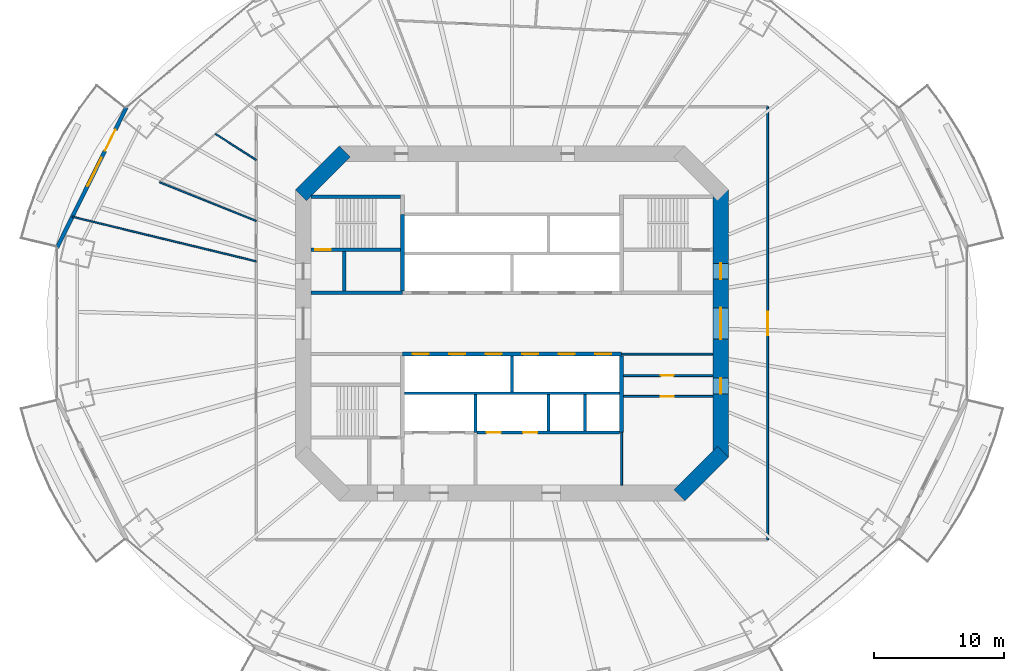
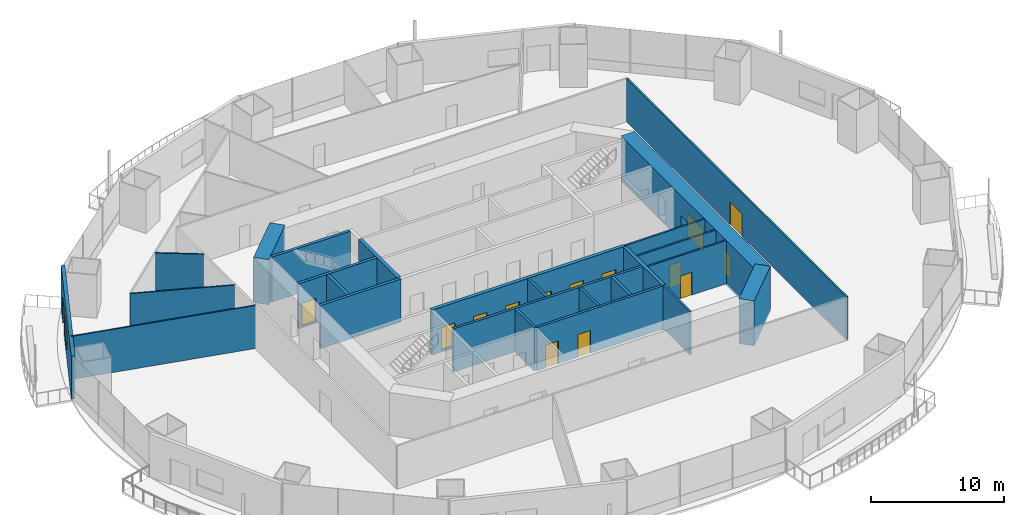
# One storey, part 14 of 22: 25 walls, 16 doors, 1 window, 17 openings.
"""IFC4 building model written with IfcOpenShell, lengths in metres."""

from ifc_helpers import new_model, si_unit, direction, frame, frame_2d, origin, place, context, subcontext, project, spatial, rectangle, extrude, material, layer, layer_set, type_object, element, fill, save


model = new_model("IFC4")

# Units and contexts
model_context = context("Model", 3, precision=1e-05, world=origin(), true_north=direction((0.0, 1.0)))
body_context = subcontext(model_context, "Body", "Model", "MODEL_VIEW")
ifc_project = project(units=[si_unit("LENGTHUNIT", "METRE"), si_unit("AREAUNIT", "SQUARE_METRE"), si_unit("VOLUMEUNIT", "CUBIC_METRE"), si_unit("PLANEANGLEUNIT", "RADIAN"), si_unit("MASSUNIT", "GRAM", prefix="KILO")], contexts=[model_context])

# Site, building, storey
site_placement = place(None, origin())
site = spatial("IfcSite", under=ifc_project, at=site_placement, CompositionType="ELEMENT")
building_placement = place(site_placement, origin())
building = spatial("IfcBuilding", under=site, at=building_placement, Name="Marenthal Gate Tower", CompositionType="ELEMENT")
storey_placement = place(building_placement, frame((0.0, 0.0, 70.35009765625)))
storey = spatial("IfcBuildingStorey", under=building, at=storey_placement, Name="L13", CompositionType="ELEMENT", Elevation=70.35009765625)

# Wall
ifc_material_1 = material(Name="Concrete 60 MPa", Category="concrete")
ifc_layer_1 = layer(ifc_material_1, 1.199951171875)
ifc_layer_set_1 = layer_set([ifc_layer_1], Name="Core shear wall 1200")
wall_type_1 = type_object("IfcWallType", Name="Core shear wall 1200", PredefinedType="SHEAR", material=ifc_layer_set_1)
wall_1_placement = place(storey_placement, frame((12.82421875, -13.17578125, -0.18017578125), z_axis=(0.0, 0.0, 1.0), x_axis=(0.707106781187, 0.707106781187, 0.0)))
element("IfcWall", 1, at=wall_1_placement, inside=storey, type_object=wall_type_1, Name="Core wall 01", PredefinedType="SHEAR", context=body_context, shape_type="SweptSolid", body=[
    extrude(rectangle(XDim=4.73974609375, YDim=1.199951171875, at=frame_2d((2.369873046875, 0.0))), origin(), (0.0, 0.0, 1.0), 4.150146484375),
])

# Wall, openings, doors
wall_2_placement = place(storey_placement, frame((16.0, -10.24853515625, -0.18017578125), z_axis=(0.0, 0.0, 1.0), x_axis=(0.0, 1.0, 0.0)))
wall_2 = element("IfcWall", 2, at=wall_2_placement, inside=storey, type_object=wall_type_1, Name="Core wall 02", PredefinedType="SHEAR", context=body_context, shape_type="SweptSolid", body=[
    extrude(rectangle(XDim=20.4970703125, YDim=1.199951171875, at=frame_2d((10.24853515625, 0.0))), origin(), (0.0, 0.0, 1.0), 4.150146484375),
])
opening_1_placement = place(wall_2_placement, frame((9.048583984375, 0.0, 0.179931640625)))
opening_1 = element("IfcOpeningElement", 3, at=opening_1_placement, cuts=wall_2, Name="Opening D003.02", PredefinedType="OPENING", context=body_context, shape_type="SweptSolid", body=[
    extrude(rectangle(XDim=2.39990234375, YDim=2.10009765625, at=frame_2d((1.199951171875, 1.050048828125))), frame((0.0, 0.60986328125, 0.0), z_axis=(0.0, -1.0, 0.0), x_axis=(1.0, 0.0, 0.0)), (0.0, 0.0, 1.0), 1.219970703125),
])
opening_2_placement = place(wall_2_placement, frame((13.6484375, 0.0, 0.179931640625)))
opening_2 = element("IfcOpeningElement", 4, at=opening_2_placement, cuts=wall_2, Name="Opening D001.05", PredefinedType="OPENING", context=body_context, shape_type="SweptSolid", body=[
    extrude(rectangle(XDim=1.199951171875, YDim=2.10009765625, at=frame_2d((0.60009765625, 1.050048828125))), frame((0.0, 0.60986328125, 0.0), z_axis=(0.0, -1.0, 0.0), x_axis=(1.0, 0.0, 0.0)), (0.0, 0.0, 1.0), 1.219970703125),
])
opening_3_placement = place(wall_2_placement, frame((4.848388671875, 0.0, 0.179931640625)))
opening_3 = element("IfcOpeningElement", 5, at=opening_3_placement, cuts=wall_2, Name="Opening D006.01", PredefinedType="OPENING", context=body_context, shape_type="SweptSolid", body=[
    extrude(rectangle(XDim=1.199951171875, YDim=2.10009765625, at=frame_2d((0.60009765625, 1.050048828125))), frame((0.0, 0.60986328125, 0.0), z_axis=(0.0, -1.0, 0.0), x_axis=(1.0, 0.0, 0.0)), (0.0, 0.0, 1.0), 1.219970703125),
])
ifc_material_2 = material(Name="Steel fire door", Category="steel")
door_type_1 = type_object("IfcDoorType", Name="Double fire door FD 45 2400 x 2100", OperationType="DOUBLE_DOOR_SINGLE_SWING", PredefinedType="DOOR", material=ifc_material_2)
door_1_placement = place(opening_1_placement, origin())
door_1 = element("IfcDoor", 6, at=door_1_placement, inside=storey, type_object=door_type_1, Name="Door D003.02", OperationType="DOUBLE_DOOR_SINGLE_SWING", OverallHeight=2.10009765625, OverallWidth=2.39990234375, PredefinedType="DOOR", context=body_context, shape_type="SweptSolid", body=[
    extrude(rectangle(XDim=2.39990234375, YDim=2.10009765625, at=frame_2d((1.199951171875, 1.050048828125))), frame((0.0, 0.02490234375, 0.0), z_axis=(0.0, -1.0, 0.0), x_axis=(1.0, 0.0, 0.0)), (0.0, 0.0, 1.0), 0.050048828125),
])
fill(opening_1, door_1)
ifc_material_3 = material(Name="Steel fire door", Category="steel")
door_type_2 = type_object("IfcDoorType", Name="Fire door FD 45 1200 x 2100", OperationType="NOTDEFINED", PredefinedType="DOOR", material=ifc_material_3)
door_2_placement = place(opening_3_placement, origin())
door_2 = element("IfcDoor", 7, at=door_2_placement, inside=storey, type_object=door_type_2, Name="Door D006.01", OperationType="SINGLE_SWING_RIGHT", OverallHeight=2.10009765625, OverallWidth=1.199951171875, PredefinedType="DOOR", context=body_context, shape_type="SweptSolid", body=[
    extrude(rectangle(XDim=1.199951171875, YDim=2.10009765625, at=frame_2d((0.60009765625, 1.050048828125))), frame((0.0, 0.02490234375, 0.0), z_axis=(0.0, -1.0, 0.0), x_axis=(1.0, 0.0, 0.0)), (0.0, 0.0, 1.0), 0.050048828125),
])
fill(opening_3, door_2)
ifc_material_4 = material(Name="Steel fire door", Category="steel")
door_type_3 = type_object("IfcDoorType", Name="Fire door FD 90 1200 x 2100", OperationType="NOTDEFINED", PredefinedType="DOOR", material=ifc_material_4)
door_3_placement = place(opening_2_placement, origin())
door_3 = element("IfcDoor", 8, at=door_3_placement, inside=storey, type_object=door_type_3, Name="Door D001.05", OperationType="SINGLE_SWING_RIGHT", OverallHeight=2.10009765625, OverallWidth=1.199951171875, PredefinedType="DOOR", context=body_context, shape_type="SweptSolid", body=[
    extrude(rectangle(XDim=1.199951171875, YDim=2.10009765625, at=frame_2d((0.60009765625, 1.050048828125))), frame((0.0, 0.02490234375, 0.0), z_axis=(0.0, -1.0, 0.0), x_axis=(1.0, 0.0, 0.0)), (0.0, 0.0, 1.0), 0.050048828125),
])
fill(opening_2, door_3)

# Wall
wall_3_placement = place(storey_placement, frame((-12.82421875, 13.17578125, -0.18017578125), z_axis=(0.0, 0.0, 1.0), x_axis=(-0.707106781187, -0.707106781187, 0.0)))
element("IfcWall", 9, at=wall_3_placement, inside=storey, type_object=wall_type_1, Name="Core wall 05", PredefinedType="SHEAR", context=body_context, shape_type="SweptSolid", body=[
    extrude(rectangle(XDim=4.73974609375, YDim=1.199951171875, at=frame_2d((2.369873046875, 0.0))), origin(), (0.0, 0.0, 1.0), 4.150146484375),
])

# Wall, openings, doors
ifc_material_5 = material(Name="Concrete 50 MPa", Category="concrete")
ifc_layer_2 = layer(ifc_material_5, 0.300048828125)
ifc_layer_set_2 = layer_set([ifc_layer_2], Name="Hoistway shear wall 300")
wall_type_2 = type_object("IfcWallType", Name="Hoistway shear wall 300", PredefinedType="SHEAR", material=ifc_layer_set_2)
wall_4_placement = place(storey_placement, frame((-8.39990234375, -2.35009765625, -0.18017578125), z_axis=(0.0, 0.0, 1.0), x_axis=(1.0, 0.0, 0.0)))
wall_4 = element("IfcWall", 10, at=wall_4_placement, inside=storey, type_object=wall_type_2, Name="Hoistway wall 17", PredefinedType="SHEAR", context=body_context, shape_type="SweptSolid", body=[
    extrude(rectangle(XDim=16.7998046875, YDim=0.300048828125, at=frame_2d((8.39990234375, 0.0))), origin(), (0.0, 0.0, 1.0), 4.150146484375),
])
opening_4_placement = place(wall_4_placement, frame((0.800048828125, 0.0, 0.179931640625)))
opening_4 = element("IfcOpeningElement", 11, at=opening_4_placement, cuts=wall_4, Name="Opening LD-LP7", PredefinedType="OPENING", context=body_context, shape_type="SweptSolid", body=[
    extrude(rectangle(XDim=1.199951171875, YDim=2.10009765625, at=frame_2d((0.60009765625, 1.050048828125))), frame((0.0, 0.16015625, 0.0), z_axis=(0.0, -1.0, 0.0), x_axis=(1.0, 0.0, 0.0)), (0.0, 0.0, 1.0), 0.320068359375),
])
opening_5_placement = place(wall_4_placement, frame((3.60009765625, 0.0, 0.179931640625)))
opening_5 = element("IfcOpeningElement", 12, at=opening_5_placement, cuts=wall_4, Name="Opening LD-LP8", PredefinedType="OPENING", context=body_context, shape_type="SweptSolid", body=[
    extrude(rectangle(XDim=1.199951171875, YDim=2.10009765625, at=frame_2d((0.60009765625, 1.050048828125))), frame((0.0, 0.16015625, 0.0), z_axis=(0.0, -1.0, 0.0), x_axis=(1.0, 0.0, 0.0)), (0.0, 0.0, 1.0), 0.320068359375),
])
opening_6_placement = place(wall_4_placement, frame((6.39990234375, 0.0, 0.179931640625)))
opening_6 = element("IfcOpeningElement", 13, at=opening_6_placement, cuts=wall_4, Name="Opening LD-LP9", PredefinedType="OPENING", context=body_context, shape_type="SweptSolid", body=[
    extrude(rectangle(XDim=1.199951171875, YDim=2.10009765625, at=frame_2d((0.60009765625, 1.050048828125))), frame((0.0, 0.16015625, 0.0), z_axis=(0.0, -1.0, 0.0), x_axis=(1.0, 0.0, 0.0)), (0.0, 0.0, 1.0), 0.320068359375),
])
opening_7_placement = place(wall_4_placement, frame((9.199951171875, 0.0, 0.179931640625)))
opening_7 = element("IfcOpeningElement", 14, at=opening_7_placement, cuts=wall_4, Name="Opening LD-LP10", PredefinedType="OPENING", context=body_context, shape_type="SweptSolid", body=[
    extrude(rectangle(XDim=1.199951171875, YDim=2.10009765625, at=frame_2d((0.60009765625, 1.050048828125))), frame((0.0, 0.16015625, 0.0), z_axis=(0.0, -1.0, 0.0), x_axis=(1.0, 0.0, 0.0)), (0.0, 0.0, 1.0), 0.320068359375),
])
opening_8_placement = place(wall_4_placement, frame((12.0, 0.0, 0.179931640625)))
opening_8 = element("IfcOpeningElement", 15, at=opening_8_placement, cuts=wall_4, Name="Opening LD-LP11", PredefinedType="OPENING", context=body_context, shape_type="SweptSolid", body=[
    extrude(rectangle(XDim=1.199951171875, YDim=2.10009765625, at=frame_2d((0.60009765625, 1.050048828125))), frame((0.0, 0.16015625, 0.0), z_axis=(0.0, -1.0, 0.0), x_axis=(1.0, 0.0, 0.0)), (0.0, 0.0, 1.0), 0.320068359375),
])
opening_9_placement = place(wall_4_placement, frame((14.800048828125, 0.0, 0.179931640625)))
opening_9 = element("IfcOpeningElement", 16, at=opening_9_placement, cuts=wall_4, Name="Opening LD-LP12", PredefinedType="OPENING", context=body_context, shape_type="SweptSolid", body=[
    extrude(rectangle(XDim=1.199951171875, YDim=2.10009765625, at=frame_2d((0.60009765625, 1.050048828125))), frame((0.0, 0.16015625, 0.0), z_axis=(0.0, -1.0, 0.0), x_axis=(1.0, 0.0, 0.0)), (0.0, 0.0, 1.0), 0.320068359375),
])
ifc_material_6 = material(Name="Stainless steel sliding door", Category="steel")
door_type_4 = type_object("IfcDoorType", Name="Lift landing door FD 90 1200 x 2100", OperationType="DOUBLE_DOOR_SLIDING", PredefinedType="DOOR", material=ifc_material_6)
door_4_placement = place(opening_4_placement, origin())
door_4 = element("IfcDoor", 17, at=door_4_placement, inside=storey, type_object=door_type_4, Name="Lift landing door LP7", OperationType="DOUBLE_DOOR_SLIDING", OverallHeight=2.10009765625, OverallWidth=1.199951171875, PredefinedType="DOOR", context=body_context, shape_type="SweptSolid", body=[
    extrude(rectangle(XDim=1.199951171875, YDim=2.10009765625, at=frame_2d((0.60009765625, 1.050048828125))), frame((0.0, 0.02490234375, 0.0), z_axis=(0.0, -1.0, 0.0), x_axis=(1.0, 0.0, 0.0)), (0.0, 0.0, 1.0), 0.050048828125),
])
fill(opening_4, door_4)
door_5_placement = place(opening_5_placement, origin())
door_5 = element("IfcDoor", 18, at=door_5_placement, inside=storey, type_object=door_type_4, Name="Lift landing door LP8", OperationType="DOUBLE_DOOR_SLIDING", OverallHeight=2.10009765625, OverallWidth=1.199951171875, PredefinedType="DOOR", context=body_context, shape_type="SweptSolid", body=[
    extrude(rectangle(XDim=1.199951171875, YDim=2.10009765625, at=frame_2d((0.60009765625, 1.050048828125))), frame((0.0, 0.02490234375, 0.0), z_axis=(0.0, -1.0, 0.0), x_axis=(1.0, 0.0, 0.0)), (0.0, 0.0, 1.0), 0.050048828125),
])
fill(opening_5, door_5)
door_6_placement = place(opening_6_placement, origin())
door_6 = element("IfcDoor", 19, at=door_6_placement, inside=storey, type_object=door_type_4, Name="Lift landing door LP9", OperationType="DOUBLE_DOOR_SLIDING", OverallHeight=2.10009765625, OverallWidth=1.199951171875, PredefinedType="DOOR", context=body_context, shape_type="SweptSolid", body=[
    extrude(rectangle(XDim=1.199951171875, YDim=2.10009765625, at=frame_2d((0.60009765625, 1.050048828125))), frame((0.0, 0.02490234375, 0.0), z_axis=(0.0, -1.0, 0.0), x_axis=(1.0, 0.0, 0.0)), (0.0, 0.0, 1.0), 0.050048828125),
])
fill(opening_6, door_6)
door_7_placement = place(opening_7_placement, origin())
door_7 = element("IfcDoor", 20, at=door_7_placement, inside=storey, type_object=door_type_4, Name="Lift landing door LP10", OperationType="DOUBLE_DOOR_SLIDING", OverallHeight=2.10009765625, OverallWidth=1.199951171875, PredefinedType="DOOR", context=body_context, shape_type="SweptSolid", body=[
    extrude(rectangle(XDim=1.199951171875, YDim=2.10009765625, at=frame_2d((0.60009765625, 1.050048828125))), frame((0.0, 0.02490234375, 0.0), z_axis=(0.0, -1.0, 0.0), x_axis=(1.0, 0.0, 0.0)), (0.0, 0.0, 1.0), 0.050048828125),
])
fill(opening_7, door_7)
door_8_placement = place(opening_8_placement, origin())
door_8 = element("IfcDoor", 21, at=door_8_placement, inside=storey, type_object=door_type_4, Name="Lift landing door LP11", OperationType="DOUBLE_DOOR_SLIDING", OverallHeight=2.10009765625, OverallWidth=1.199951171875, PredefinedType="DOOR", context=body_context, shape_type="SweptSolid", body=[
    extrude(rectangle(XDim=1.199951171875, YDim=2.10009765625, at=frame_2d((0.60009765625, 1.050048828125))), frame((0.0, 0.02490234375, 0.0), z_axis=(0.0, -1.0, 0.0), x_axis=(1.0, 0.0, 0.0)), (0.0, 0.0, 1.0), 0.050048828125),
])
fill(opening_8, door_8)
door_9_placement = place(opening_9_placement, origin())
door_9 = element("IfcDoor", 22, at=door_9_placement, inside=storey, type_object=door_type_4, Name="Lift landing door LP12", OperationType="DOUBLE_DOOR_SLIDING", OverallHeight=2.10009765625, OverallWidth=1.199951171875, PredefinedType="DOOR", context=body_context, shape_type="SweptSolid", body=[
    extrude(rectangle(XDim=1.199951171875, YDim=2.10009765625, at=frame_2d((0.60009765625, 1.050048828125))), frame((0.0, 0.02490234375, 0.0), z_axis=(0.0, -1.0, 0.0), x_axis=(1.0, 0.0, 0.0)), (0.0, 0.0, 1.0), 0.050048828125),
])
fill(opening_9, door_9)

# Walls
for number, where, z_axis, x_axis, name in (
    (23, (-8.39990234375, 2.5, -0.18017578125), (0.0, 0.0, 1.0), (0.0, 1.0, 0.0), "Hoistway wall 32"),
    (24, (8.39990234375, -8.35009765625, -0.18017578125), (0.0, 0.0, 1.0), (0.0, 1.0, 0.0), "Hoistway wall 43"),
):
    element("IfcWall", number, at=place(storey_placement, frame(where, z_axis=z_axis, x_axis=x_axis)), inside=storey, type_object=wall_type_2, Name=name, PredefinedType="SHEAR", context=body_context, shape_type="SweptSolid", body=[
        extrude(rectangle(XDim=5.85009765625, YDim=0.300048828125, at=frame_2d((2.925048828125, 0.0))), origin(), (0.0, 0.0, 1.0), 4.150146484375),
    ])

# Wall, openings, doors
ifc_material_7 = material(Name="Concrete 40 MPa", Category="concrete")
ifc_layer_3 = layer(ifc_material_7, 0.219970703125)
ifc_layer_set_3 = layer_set([ifc_layer_3], Name="Hoistway wall 220")
wall_type_3 = type_object("IfcWallType", Name="Hoistway wall 220", PredefinedType="STANDARD", material=ifc_layer_set_3)
wall_5_placement = place(storey_placement, frame((-2.68994140625, -8.35009765625, 0.0), z_axis=(0.0, 0.0, 1.0), x_axis=(1.0, 0.0, 0.0)))
wall_5 = element("IfcWall", 25, at=wall_5_placement, inside=storey, type_object=wall_type_3, Name="Hoistway wall 11", PredefinedType="STANDARD", context=body_context, shape_type="SweptSolid", body=[
    extrude(rectangle(XDim=10.93994140625, YDim=0.219970703125, at=frame_2d((5.469970703125, 0.0))), origin(), (0.0, 0.0, 1.0), 3.969970703125),
])
opening_10_placement = place(wall_5_placement, frame((0.739990234375, 0.0, 0.0)))
opening_10 = element("IfcOpeningElement", 26, at=opening_10_placement, cuts=wall_5, Name="Opening LD-SV1", PredefinedType="OPENING", context=body_context, shape_type="SweptSolid", body=[
    extrude(rectangle(XDim=1.10009765625, YDim=2.10009765625, at=frame_2d((0.550048828125, 1.050048828125))), frame((0.0, 0.1201171875, 0.0), z_axis=(0.0, -1.0, 0.0), x_axis=(1.0, 0.0, 0.0)), (0.0, 0.0, 1.0), 0.239990234375),
])
opening_11_placement = place(wall_5_placement, frame((3.5400390625, 0.0, 0.0)))
opening_11 = element("IfcOpeningElement", 27, at=opening_11_placement, cuts=wall_5, Name="Opening LD-SV2", PredefinedType="OPENING", context=body_context, shape_type="SweptSolid", body=[
    extrude(rectangle(XDim=1.10009765625, YDim=2.10009765625, at=frame_2d((0.550048828125, 1.050048828125))), frame((0.0, 0.1201171875, 0.0), z_axis=(0.0, -1.0, 0.0), x_axis=(1.0, 0.0, 0.0)), (0.0, 0.0, 1.0), 0.239990234375),
])
ifc_material_8 = material(Name="Stainless steel sliding door", Category="steel")
door_type_5 = type_object("IfcDoorType", Name="Lift landing door FD 90 1100 x 2100", OperationType="DOUBLE_DOOR_SLIDING", PredefinedType="DOOR", material=ifc_material_8)
door_10_placement = place(opening_10_placement, origin())
door_10 = element("IfcDoor", 28, at=door_10_placement, inside=storey, type_object=door_type_5, Name="Lift landing door SV1", OperationType="DOUBLE_DOOR_SLIDING", OverallHeight=2.10009765625, OverallWidth=1.10009765625, PredefinedType="DOOR", context=body_context, shape_type="SweptSolid", body=[
    extrude(rectangle(XDim=1.10009765625, YDim=2.10009765625, at=frame_2d((0.550048828125, 1.050048828125))), frame((0.0, 0.02490234375, 0.0), z_axis=(0.0, -1.0, 0.0), x_axis=(1.0, 0.0, 0.0)), (0.0, 0.0, 1.0), 0.050048828125),
])
fill(opening_10, door_10)
door_11_placement = place(opening_11_placement, origin())
door_11 = element("IfcDoor", 29, at=door_11_placement, inside=storey, type_object=door_type_5, Name="Lift landing door SV2", OperationType="DOUBLE_DOOR_SLIDING", OverallHeight=2.10009765625, OverallWidth=1.10009765625, PredefinedType="DOOR", context=body_context, shape_type="SweptSolid", body=[
    extrude(rectangle(XDim=1.10009765625, YDim=2.10009765625, at=frame_2d((0.550048828125, 1.050048828125))), frame((0.0, 0.02490234375, 0.0), z_axis=(0.0, -1.0, 0.0), x_axis=(1.0, 0.0, 0.0)), (0.0, 0.0, 1.0), 0.050048828125),
])
fill(opening_11, door_11)

# Walls
wall_6_placement = place(storey_placement, frame((-8.25, -5.35009765625, 0.0), z_axis=(0.0, 0.0, 1.0), x_axis=(1.0, 0.0, 0.0)))
element("IfcWall", 30, at=wall_6_placement, inside=storey, type_object=wall_type_3, Name="Hoistway wall 13", PredefinedType="STANDARD", context=body_context, shape_type="SweptSolid", body=[
    extrude(rectangle(XDim=16.5, YDim=0.219970703125, at=frame_2d((8.25, 0.0))), origin(), (0.0, 0.0, 1.0), 3.969970703125),
])
wall_7_placement = place(storey_placement, frame((-2.800048828125, -8.35009765625, 0.0), z_axis=(0.0, 0.0, 1.0), x_axis=(0.0, 1.0, 0.0)))
element("IfcWall", 31, at=wall_7_placement, inside=storey, type_object=wall_type_3, Name="Hoistway wall 36", PredefinedType="STANDARD", context=body_context, shape_type="SweptSolid", body=[
    extrude(rectangle(XDim=2.89013671875, YDim=0.219970703125, at=frame_2d((1.445068359375, 0.0))), origin(), (0.0, 0.0, 1.0), 3.969970703125),
])
wall_8_placement = place(storey_placement, frame((0.0, -5.239990234375, 0.0), z_axis=(0.0, 0.0, 1.0), x_axis=(0.0, 1.0, 0.0)))
element("IfcWall", 32, at=wall_8_placement, inside=storey, type_object=wall_type_3, Name="Hoistway wall 37", PredefinedType="STANDARD", context=body_context, shape_type="SweptSolid", body=[
    extrude(rectangle(XDim=2.739990234375, YDim=0.219970703125, at=frame_2d((1.3701171875, 0.0))), origin(), (0.0, 0.0, 1.0), 3.969970703125),
])
for number, where, z_axis, x_axis, name in (
    (33, (2.800048828125, -8.239990234375, 0.0), (0.0, 0.0, 1.0), (0.0, 1.0, 0.0), "Hoistway wall 39"),
    (34, (5.60009765625, -8.239990234375, 0.0), (0.0, 0.0, 1.0), (0.0, 1.0, 0.0), "Hoistway wall 41"),
):
    element("IfcWall", number, at=place(storey_placement, frame(where, z_axis=z_axis, x_axis=x_axis)), inside=storey, type_object=wall_type_3, Name=name, PredefinedType="STANDARD", context=body_context, shape_type="SweptSolid", body=[
        extrude(rectangle(XDim=2.780029296875, YDim=0.219970703125, at=frame_2d((1.39013671875, 0.0))), origin(), (0.0, 0.0, 1.0), 3.969970703125),
    ])
ifc_material_9 = material(Name="Gypsum board on steel studs", Category="steel")
ifc_layer_4 = layer(ifc_material_9, 0.1201171875)
ifc_layer_set_4 = layer_set([ifc_layer_4], Name="Partition 120")
wall_type_4 = type_object("IfcWallType", Name="Partition 120", PredefinedType="PARTITIONING", material=ifc_layer_set_4)
wall_9_placement = place(storey_placement, frame((-27.022705078125, 10.81884765625, 0.0), z_axis=(0.0, 0.0, 1.0), x_axis=(0.928362929912, -0.371674952567, 0.0)))
element("IfcWall", 35, at=wall_9_placement, inside=storey, type_object=wall_type_4, Name="Partition wall 47", PredefinedType="PARTITIONING", context=body_context, shape_type="SweptSolid", body=[
    extrude(rectangle(XDim=7.995361328125, YDim=0.1201171875, at=frame_2d((3.99755859375, 0.0))), origin(), (0.0, 0.0, 1.0), 3.969970703125),
])
wall_10_placement = place(storey_placement, frame((-22.728515625, 14.52392578125, 0.0), z_axis=(0.0, 0.0, 1.0), x_axis=(0.842658134486, -0.538448946869, 0.0)))
element("IfcWall", 36, at=wall_10_placement, inside=storey, type_object=wall_type_4, Name="Partition wall 48", PredefinedType="PARTITIONING", context=body_context, shape_type="SweptSolid", body=[
    extrude(rectangle(XDim=3.712646484375, YDim=0.1201171875, at=frame_2d((1.8564453125, 0.0))), origin(), (0.0, 0.0, 1.0), 3.969970703125),
])
wall_11_placement = place(storey_placement, frame((-19.60009765625, 4.755126953125, 0.0), z_axis=(0.0, 0.0, 1.0), x_axis=(-0.971812383282, 0.235755576178, 0.0)))
element("IfcWall", 37, at=wall_11_placement, inside=storey, type_object=wall_type_4, Name="Partition wall 50", PredefinedType="PARTITIONING", context=body_context, shape_type="SweptSolid", body=[
    extrude(rectangle(XDim=14.50927734375, YDim=0.1201171875, at=frame_2d((7.254638671875, 0.0))), origin(), (0.0, 0.0, 1.0), 3.969970703125),
])

# Wall, opening, door
ifc_material_10 = material(Name="Gypsum board on steel studs", Category="steel")
ifc_layer_5 = layer(ifc_material_10, 0.14990234375)
ifc_layer_set_5 = layer_set([ifc_layer_5], Name="Partition 150")
wall_type_5 = type_object("IfcWallType", Name="Partition 150", PredefinedType="PARTITIONING", material=ifc_layer_set_5)
wall_12_placement = place(storey_placement, frame((8.550048828125, -5.60009765625, 0.0), z_axis=(0.0, 0.0, 1.0), x_axis=(1.0, 0.0, 0.0)))
wall_12 = element("IfcWall", 38, at=wall_12_placement, inside=storey, type_object=wall_type_5, Name="Partition wall 12", PredefinedType="PARTITIONING", context=body_context, shape_type="SweptSolid", body=[
    extrude(rectangle(XDim=6.849853515625, YDim=0.14990234375, at=frame_2d((3.4248046875, 0.0))), origin(), (0.0, 0.0, 1.0), 3.969970703125),
])
opening_12_placement = place(wall_12_placement, frame((2.85009765625, 0.0, 0.0)))
opening_12 = element("IfcOpeningElement", 39, at=opening_12_placement, cuts=wall_12, Name="Opening D005.04", PredefinedType="OPENING", context=body_context, shape_type="SweptSolid", body=[
    extrude(rectangle(XDim=1.0, YDim=2.10009765625, at=frame_2d((0.5, 1.050048828125))), frame((0.0, 0.0849609375, 0.0), z_axis=(0.0, -1.0, 0.0), x_axis=(1.0, 0.0, 0.0)), (0.0, 0.0, 1.0), 0.169921875),
])
ifc_material_11 = material(Name="Steel fire door", Category="steel")
door_type_6 = type_object("IfcDoorType", Name="Fire door FD 45 1000 x 2100", OperationType="NOTDEFINED", PredefinedType="DOOR", material=ifc_material_11)
door_12_placement = place(opening_12_placement, frame((1.0, 0.0, 0.0), z_axis=(0.0, 0.0, 1.0), x_axis=(-1.0, 0.0, 0.0)))
door_12 = element("IfcDoor", 40, at=door_12_placement, inside=storey, type_object=door_type_6, Name="Door D005.04", OperationType="SINGLE_SWING_LEFT", OverallHeight=2.10009765625, OverallWidth=1.0, PredefinedType="DOOR", context=body_context, shape_type="SweptSolid", body=[
    extrude(rectangle(XDim=1.0, YDim=2.10009765625, at=frame_2d((0.5, 1.050048828125))), frame((0.0, 0.02490234375, 0.0), z_axis=(0.0, -1.0, 0.0), x_axis=(1.0, 0.0, 0.0)), (0.0, 0.0, 1.0), 0.050048828125),
])
fill(opening_12, door_12)

wall_13_placement = place(storey_placement, frame((8.550048828125, -4.0, 0.0), z_axis=(0.0, 0.0, 1.0), x_axis=(1.0, 0.0, 0.0)))
wall_13 = element("IfcWall", 41, at=wall_13_placement, inside=storey, type_object=wall_type_5, Name="Partition wall 15", PredefinedType="PARTITIONING", context=body_context, shape_type="SweptSolid", body=[
    extrude(rectangle(XDim=6.849853515625, YDim=0.14990234375, at=frame_2d((3.4248046875, 0.0))), origin(), (0.0, 0.0, 1.0), 3.969970703125),
])
opening_13_placement = place(wall_13_placement, frame((2.85009765625, 0.0, 0.0)))
opening_13 = element("IfcOpeningElement", 42, at=opening_13_placement, cuts=wall_13, Name="Opening D005.03", PredefinedType="OPENING", context=body_context, shape_type="SweptSolid", body=[
    extrude(rectangle(XDim=1.0, YDim=2.10009765625, at=frame_2d((0.5, 1.050048828125))), frame((0.0, 0.0849609375, 0.0), z_axis=(0.0, -1.0, 0.0), x_axis=(1.0, 0.0, 0.0)), (0.0, 0.0, 1.0), 0.169921875),
])
door_13_placement = place(opening_13_placement, origin())
door_13 = element("IfcDoor", 43, at=door_13_placement, inside=storey, type_object=door_type_6, Name="Door D005.03", OperationType="SINGLE_SWING_RIGHT", OverallHeight=2.10009765625, OverallWidth=1.0, PredefinedType="DOOR", context=body_context, shape_type="SweptSolid", body=[
    extrude(rectangle(XDim=1.0, YDim=2.10009765625, at=frame_2d((0.5, 1.050048828125))), frame((0.0, 0.02490234375, 0.0), z_axis=(0.0, -1.0, 0.0), x_axis=(1.0, 0.0, 0.0)), (0.0, 0.0, 1.0), 0.050048828125),
])
fill(opening_13, door_13)

# Walls
wall_14_placement = place(storey_placement, frame((8.39990234375, -2.35009765625, 0.0), z_axis=(0.0, 0.0, 1.0), x_axis=(1.0, 0.0, 0.0)))
element("IfcWall", 44, at=wall_14_placement, inside=storey, type_object=wall_type_5, Name="Partition wall 18", PredefinedType="PARTITIONING", context=body_context, shape_type="SweptSolid", body=[
    extrude(rectangle(XDim=7.0, YDim=0.14990234375, at=frame_2d((3.5, 0.0))), origin(), (0.0, 0.0, 1.0), 3.969970703125),
])
wall_15_placement = place(storey_placement, frame((8.39990234375, -12.39990234375, 0.0), z_axis=(0.0, 0.0, 1.0), x_axis=(0.0, 1.0, 0.0)))
element("IfcWall", 45, at=wall_15_placement, inside=storey, type_object=wall_type_5, Name="Partition wall 42", PredefinedType="PARTITIONING", context=body_context, shape_type="SweptSolid", body=[
    extrude(rectangle(XDim=4.0498046875, YDim=0.14990234375, at=frame_2d((2.02490234375, 0.0))), origin(), (0.0, 0.0, 1.0), 3.969970703125),
])

# Wall, opening, door
wall_16_placement = place(storey_placement, frame((19.60009765625, 16.60009765625, 0.0), z_axis=(0.0, 0.0, 1.0), x_axis=(0.0, -1.0, 0.0)))
wall_16 = element("IfcWall", 46, at=wall_16_placement, inside=storey, type_object=wall_type_5, Name="Partition wall 61", PredefinedType="PARTITIONING", context=body_context, shape_type="SweptSolid", body=[
    extrude(rectangle(XDim=33.2001953125, YDim=0.14990234375, at=frame_2d((16.60009765625, 0.0))), origin(), (0.0, 0.0, 1.0), 3.969970703125),
])
opening_14_placement = place(wall_16_placement, frame((15.699951171875, 0.0, 0.0)))
opening_14 = element("IfcOpeningElement", 47, at=opening_14_placement, cuts=wall_16, Name="Opening D014.03", PredefinedType="OPENING", context=body_context, shape_type="SweptSolid", body=[
    extrude(rectangle(XDim=1.800048828125, YDim=2.10009765625, at=frame_2d((0.89990234375, 1.050048828125))), frame((0.0, 0.0849609375, 0.0), z_axis=(0.0, -1.0, 0.0), x_axis=(1.0, 0.0, 0.0)), (0.0, 0.0, 1.0), 0.169921875),
])
ifc_material_12 = material(Name="Timber door", Category="wood")
door_type_7 = type_object("IfcDoorType", Name="Double door 1800 x 2100", OperationType="DOUBLE_DOOR_SINGLE_SWING", PredefinedType="DOOR", material=ifc_material_12)
door_14_placement = place(opening_14_placement, origin())
door_14 = element("IfcDoor", 48, at=door_14_placement, inside=storey, type_object=door_type_7, Name="Door D014.03", OperationType="DOUBLE_DOOR_SINGLE_SWING", OverallHeight=2.10009765625, OverallWidth=1.800048828125, PredefinedType="DOOR", context=body_context, shape_type="SweptSolid", body=[
    extrude(rectangle(XDim=1.800048828125, YDim=2.10009765625, at=frame_2d((0.89990234375, 1.050048828125))), frame((0.0, 0.02490234375, 0.0), z_axis=(0.0, -1.0, 0.0), x_axis=(1.0, 0.0, 0.0)), (0.0, 0.0, 1.0), 0.050048828125),
])
fill(opening_14, door_14)

# Walls
ifc_material_13 = material(Name="Concrete 40 MPa", Category="concrete")
ifc_layer_6 = layer(ifc_material_13, 0.25)
ifc_layer_set_6 = layer_set([ifc_layer_6], Name="Stair enclosure wall 250")
wall_type_6 = type_object("IfcWallType", Name="Stair enclosure wall 250", PredefinedType="STANDARD", material=ifc_layer_set_6)
wall_17_placement = place(storey_placement, frame((-15.39990234375, 2.35009765625, 0.0), z_axis=(0.0, 0.0, 1.0), x_axis=(1.0, 0.0, 0.0)))
element("IfcWall", 49, at=wall_17_placement, inside=storey, type_object=wall_type_6, Name="Stair wall 19", PredefinedType="STANDARD", context=body_context, shape_type="SweptSolid", body=[
    extrude(rectangle(XDim=7.0, YDim=0.25, at=frame_2d((3.5, 0.0))), origin(), (0.0, 0.0, 1.0), 3.969970703125),
])
wall_18_placement = place(storey_placement, frame((-12.85009765625, 2.47509765625, 0.0), z_axis=(0.0, 0.0, 1.0), x_axis=(0.0, 1.0, 0.0)))
element("IfcWall", 50, at=wall_18_placement, inside=storey, type_object=wall_type_6, Name="Stair wall 28", PredefinedType="STANDARD", context=body_context, shape_type="SweptSolid", body=[
    extrude(rectangle(XDim=3.0498046875, YDim=0.25, at=frame_2d((1.52490234375, 0.0))), origin(), (0.0, 0.0, 1.0), 3.969970703125),
])

# Wall, opening, door
ifc_material_14 = material(Name="Concrete 50 MPa", Category="concrete")
ifc_layer_7 = layer(ifc_material_14, 0.25)
ifc_layer_set_7 = layer_set([ifc_layer_7], Name="Stair shear wall 250")
wall_type_7 = type_object("IfcWallType", Name="Stair shear wall 250", PredefinedType="SHEAR", material=ifc_layer_set_7)
wall_19_placement = place(storey_placement, frame((-15.39990234375, 5.64990234375, -0.18017578125), z_axis=(0.0, 0.0, 1.0), x_axis=(1.0, 0.0, 0.0)))
wall_19 = element("IfcWall", 51, at=wall_19_placement, inside=storey, type_object=wall_type_7, Name="Stair wall 23", PredefinedType="SHEAR", context=body_context, shape_type="SweptSolid", body=[
    extrude(rectangle(XDim=6.849853515625, YDim=0.25, at=frame_2d((3.4248046875, 0.0))), origin(), (0.0, 0.0, 1.0), 4.150146484375),
])
opening_15_placement = place(wall_19_placement, frame((0.300048828125, 0.0, 0.179931640625)))
opening_15 = element("IfcOpeningElement", 52, at=opening_15_placement, cuts=wall_19, Name="Opening D001.01", PredefinedType="OPENING", context=body_context, shape_type="SweptSolid", body=[
    extrude(rectangle(XDim=1.199951171875, YDim=2.10009765625, at=frame_2d((0.60009765625, 1.050048828125))), frame((0.0, 0.135009765625, 0.0), z_axis=(0.0, -1.0, 0.0), x_axis=(1.0, 0.0, 0.0)), (0.0, 0.0, 1.0), 0.27001953125),
])
door_15_placement = place(opening_15_placement, origin())
door_15 = element("IfcDoor", 53, at=door_15_placement, inside=storey, type_object=door_type_3, Name="Door D001.01", OperationType="SINGLE_SWING_RIGHT", OverallHeight=2.10009765625, OverallWidth=1.199951171875, PredefinedType="DOOR", context=body_context, shape_type="SweptSolid", body=[
    extrude(rectangle(XDim=1.199951171875, YDim=2.10009765625, at=frame_2d((0.60009765625, 1.050048828125))), frame((0.0, 0.02490234375, 0.0), z_axis=(0.0, -1.0, 0.0), x_axis=(1.0, 0.0, 0.0)), (0.0, 0.0, 1.0), 0.050048828125),
])
fill(opening_15, door_15)

# Wall
wall_20_placement = place(storey_placement, frame((-15.39990234375, 9.699951171875, -0.18017578125), z_axis=(0.0, 0.0, 1.0), x_axis=(1.0, 0.0, 0.0)))
element("IfcWall", 54, at=wall_20_placement, inside=storey, type_object=wall_type_7, Name="Stair wall 26", PredefinedType="SHEAR", context=body_context, shape_type="SweptSolid", body=[
    extrude(rectangle(XDim=6.849853515625, YDim=0.25, at=frame_2d((3.4248046875, 0.0))), origin(), (0.0, 0.0, 1.0), 4.150146484375),
])

# Wall, openings, door, window
ifc_material_15 = material(Name="Terracotta cladding on insulated concrete-block backing", Category="masonry")
ifc_layer_8 = layer(ifc_material_15, 0.300048828125)
ifc_layer_set_8 = layer_set([ifc_layer_8], Name="Terracotta facade wall 300")
wall_type_8 = type_object("IfcWallType", Name="Terracotta facade wall 300", PredefinedType="SOLIDWALL", material=ifc_layer_set_8)
wall_21_placement = place(storey_placement, frame((-29.561279296875, 16.547119140625, 0.0), z_axis=(0.0, 0.0, 1.0), x_axis=(-0.443222110109, -0.896411825619, 0.0)))
wall_21 = element("IfcWall", 55, at=wall_21_placement, inside=storey, type_object=wall_type_8, Name="Terracotta facade wall L13 bay 7", PredefinedType="SOLIDWALL", context=body_context, shape_type="SweptSolid", body=[
    extrude(rectangle(XDim=11.977294921875, YDim=0.300048828125, at=frame_2d((5.98876953125, 0.0))), origin(), (0.0, 0.0, 1.0), 3.969970703125),
])
opening_16_placement = place(wall_21_placement, frame((1.89990234375, 0.0, 0.0)))
opening_16 = element("IfcOpeningElement", 56, at=opening_16_placement, cuts=wall_21, Name="Opening BD-L13-07", PredefinedType="OPENING", context=body_context, shape_type="SweptSolid", body=[
    extrude(rectangle(XDim=1.800048828125, YDim=2.39990234375, at=frame_2d((0.89990234375, 1.199951171875))), frame((0.0, 0.16015625, 0.0), z_axis=(0.0, -1.0, 0.0), x_axis=(1.0, 0.0, 0.0)), (0.0, 0.0, 1.0), 0.320068359375),
])
opening_17_placement = place(wall_21_placement, frame((4.300048828125, 0.0, 0.89990234375)))
opening_17 = element("IfcOpeningElement", 57, at=opening_17_placement, cuts=wall_21, Name="Opening WN1-L13-07", PredefinedType="OPENING", context=body_context, shape_type="SweptSolid", body=[
    extrude(rectangle(XDim=2.39990234375, YDim=1.5, at=frame_2d((1.199951171875, 0.75))), frame((0.0, 0.16015625, 0.0), z_axis=(0.0, -1.0, 0.0), x_axis=(1.0, 0.0, 0.0)), (0.0, 0.0, 1.0), 0.320068359375),
])
ifc_material_16 = material(Name="Aluminium and glass", Category="aluminium")
door_type_8 = type_object("IfcDoorType", Name="Balcony door 1800x2400", OperationType="DOUBLE_DOOR_SINGLE_SWING", PredefinedType="DOOR", material=ifc_material_16)
door_16_placement = place(opening_16_placement, origin())
door_16 = element("IfcDoor", 58, at=door_16_placement, inside=storey, type_object=door_type_8, Name="Balcony door L13 bay 7", OperationType="SINGLE_SWING_LEFT", OverallHeight=2.39990234375, OverallWidth=1.800048828125, PredefinedType="DOOR", context=body_context, shape_type="SweptSolid", body=[
    extrude(rectangle(XDim=1.800048828125, YDim=2.39990234375, at=frame_2d((0.89990234375, 1.199951171875))), frame((0.0, 0.02490234375, 0.0), z_axis=(0.0, -1.0, 0.0), x_axis=(1.0, 0.0, 0.0)), (0.0, 0.0, 1.0), 0.050048828125),
])
fill(opening_16, door_16)
ifc_material_17 = material(Name="Aluminium and glass", Category="aluminium")
window_type = type_object("IfcWindowType", Name="Window 2400x1500", PartitioningType="TRIPLE_PANEL_VERTICAL", PredefinedType="WINDOW", material=ifc_material_17)
window_placement = place(opening_17_placement, origin())
window = element("IfcWindow", 59, at=window_placement, inside=storey, type_object=window_type, Name="Window L13 bay 7", OverallHeight=1.5, OverallWidth=2.39990234375, PartitioningType="SINGLE_PANEL", PredefinedType="WINDOW", context=body_context, shape_type="SweptSolid", body=[
    extrude(rectangle(XDim=2.39990234375, YDim=1.5, at=frame_2d((1.199951171875, 0.75))), frame((0.0, 0.030029296875, 0.0), z_axis=(0.0, -1.0, 0.0), x_axis=(1.0, 0.0, 0.0)), (0.0, 0.0, 1.0), 0.06005859375),
])
fill(opening_17, window)

save(model, "model.ifc")
